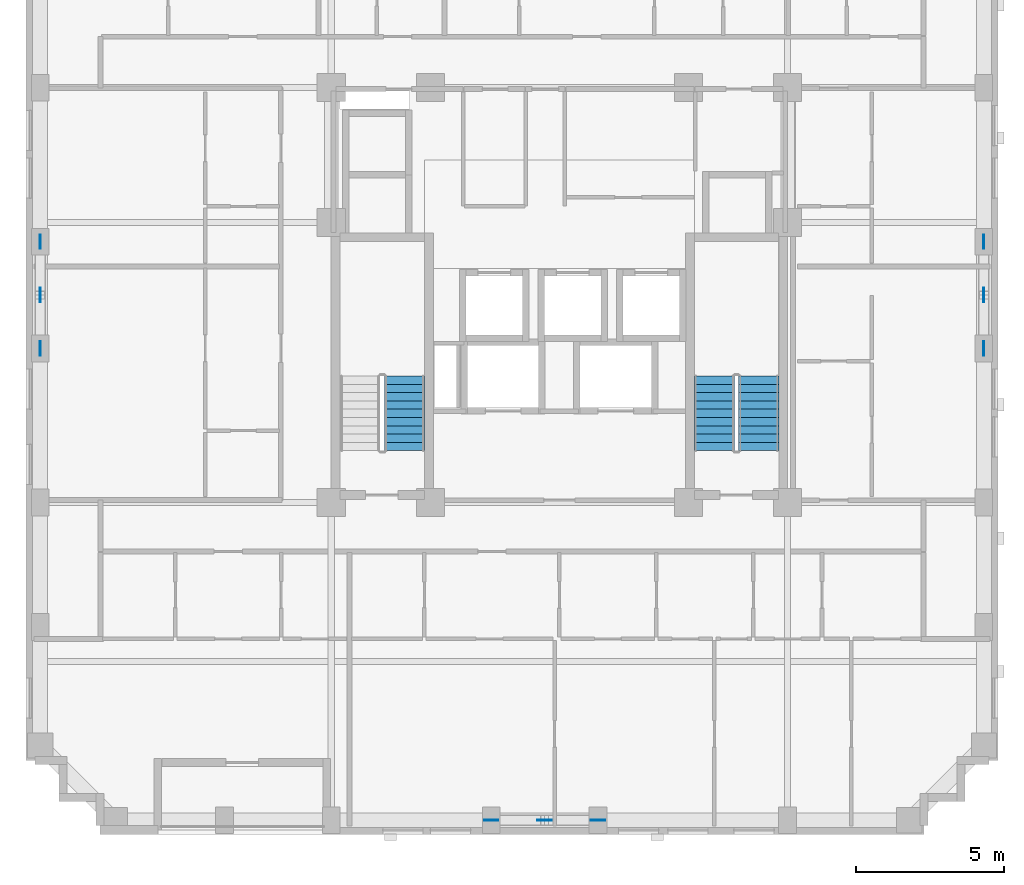
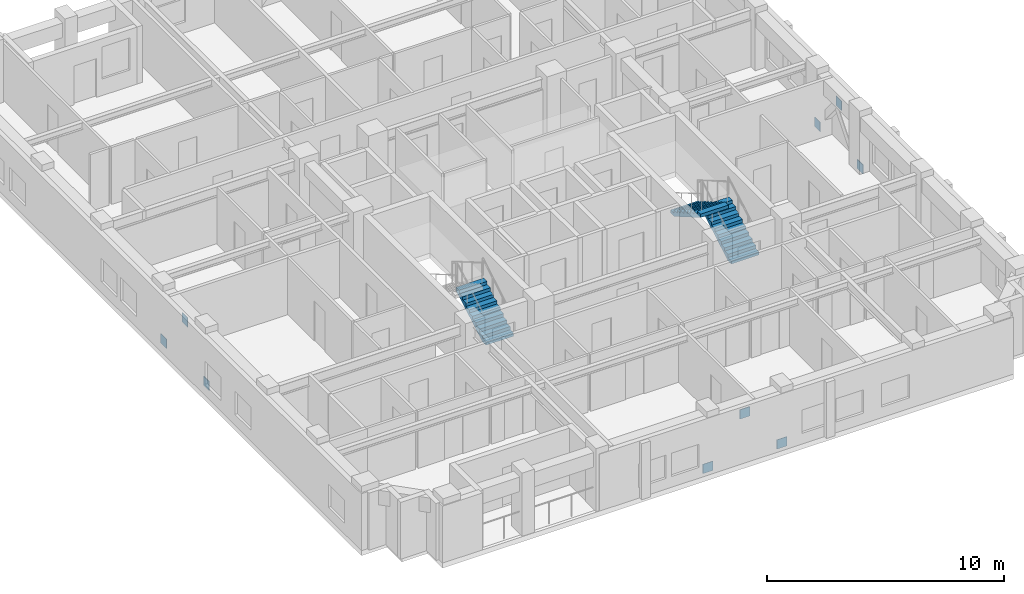
# One storey, part 8 of 11: 9 discrete accessories, 3 stair flights, 2 elements without a shape of their own.
"""IFC4 building model written with IfcOpenShell, lengths in metres."""

from ifc_helpers import new_model, si_unit, derived_unit, direction, frame, origin, origin_2d, place, context, subcontext, project, spatial, polyline, rectangle, outline, extrude, material, layer, layer_set, type_object, element, aggregate, save


model = new_model("IFC4")

# Units and contexts
model_context = context("Model", 3, precision=1e-05, world=origin(), true_north=direction((0.0, 1.0)))
body_context = subcontext(model_context, "Body", "Model", "MODEL_VIEW")
ifc_project = project(units=[si_unit("LENGTHUNIT", "METRE"), si_unit("AREAUNIT", "SQUARE_METRE"), si_unit("VOLUMEUNIT", "CUBIC_METRE"), si_unit("PLANEANGLEUNIT", "RADIAN"), si_unit("MASSUNIT", "GRAM", prefix="KILO"), derived_unit("THERMALTRANSMITTANCEUNIT", [(si_unit("MASSUNIT", "GRAM", prefix="KILO"), 1), (si_unit("TIMEUNIT", "SECOND"), -3), (si_unit("THERMODYNAMICTEMPERATUREUNIT", "KELVIN"), -1)])], contexts=[model_context])

# Site, building, storey
site_placement = place(None, origin())
site = spatial("IfcSite", under=ifc_project, at=site_placement, CompositionType="ELEMENT")
building_placement = place(site_placement, origin())
building = spatial("IfcBuilding", under=site, at=building_placement, Name="Korrvale Station Residences", CompositionType="ELEMENT")
storey_placement = place(building_placement, frame((0.0, 0.0, 166.64990234375)))
storey = spatial("IfcBuildingStorey", under=building, at=storey_placement, Name="L48", CompositionType="ELEMENT", Elevation=166.64990234375)

# Stair, stair flight
ifc_material_1 = material(Name="Concrete C50/60", Category="concrete")
stair_type = type_object("IfcStairType", Name="STR-DL-1350-20R-1625", PredefinedType="HALF_TURN_STAIR", material=ifc_material_1)
stair_1_placement = place(storey_placement, origin())
stair_1 = element("IfcStair", 1, at=stair_1_placement, inside=storey, type_object=stair_type, Name="L48 Exit Stair 1", PredefinedType="HALF_TURN_STAIR")
stair_flight_type = type_object("IfcStairFlightType", Name="FLT-DL-1350-20R-1625", PredefinedType="STRAIGHT", material=ifc_material_1)
stair_flight_1_placement = place(storey_placement, frame((20.27490234375, 16.75, 0.0), z_axis=(0.0, 0.0, 1.0), x_axis=(0.0, 1.0, 0.0)))
stair_flight_1 = element("IfcStairFlight", 2, at=stair_flight_1_placement, type_object=stair_flight_type, Name="ST-1 flight 1", NumberOfRisers=10, NumberOfTreads=9, PredefinedType="STRAIGHT", RiserHeight=0.1625, TreadLength=0.28, context=body_context, shape_type="SweptSolid", body=[
    extrude(outline(polyline([(0.0, 0.0), (0.0, 0.16259765625), (0.280029296875, 0.16259765625), (0.280029296875, 0.324951171875), (0.56005859375, 0.324951171875), (0.56005859375, 0.487548828125), (0.840087890625, 0.487548828125), (0.840087890625, 0.64990234375), (1.1201171875, 0.64990234375), (1.1201171875, 0.8125), (1.39990234375, 0.8125), (1.39990234375, 0.97509765625), (1.679931640625, 0.97509765625), (1.679931640625, 1.137451171875), (1.9599609375, 1.137451171875), (1.9599609375, 1.300048828125), (2.239990234375, 1.300048828125), (2.239990234375, 1.46240234375), (2.52001953125, 1.46240234375), (2.52001953125, 1.625), (2.52001953125, 1.2890625), (0.298583984375, 0.0), (0.0, 0.0)])), frame((0.0, 0.675048828125, 0.0), z_axis=(0.0, -1.0, 0.0), x_axis=(1.0, 0.0, 0.0)), (0.0, 0.0, 1.0), 1.35009765625),
])
aggregate(stair_1, [stair_flight_1])

# Stair, stair flights
stair_2_placement = place(storey_placement, origin())
stair_2 = element("IfcStair", 3, at=stair_2_placement, inside=storey, type_object=stair_type, Name="L48 Exit Stair 2", PredefinedType="HALF_TURN_STAIR")
stair_flight_2_placement = place(storey_placement, frame((32.22509765625, 16.75, 0.0), z_axis=(0.0, 0.0, 1.0), x_axis=(0.0, 1.0, 0.0)))
stair_flight_2 = element("IfcStairFlight", 4, at=stair_flight_2_placement, type_object=stair_flight_type, Name="ST-2 flight 1", NumberOfRisers=10, NumberOfTreads=9, PredefinedType="STRAIGHT", RiserHeight=0.1625, TreadLength=0.28, context=body_context, shape_type="SweptSolid", body=[
    extrude(outline(polyline([(0.0, 0.0), (0.0, 0.16259765625), (0.280029296875, 0.16259765625), (0.280029296875, 0.324951171875), (0.56005859375, 0.324951171875), (0.56005859375, 0.487548828125), (0.840087890625, 0.487548828125), (0.840087890625, 0.64990234375), (1.1201171875, 0.64990234375), (1.1201171875, 0.8125), (1.39990234375, 0.8125), (1.39990234375, 0.97509765625), (1.679931640625, 0.97509765625), (1.679931640625, 1.137451171875), (1.9599609375, 1.137451171875), (1.9599609375, 1.300048828125), (2.239990234375, 1.300048828125), (2.239990234375, 1.46240234375), (2.52001953125, 1.46240234375), (2.52001953125, 1.625), (2.52001953125, 1.2890625), (0.298583984375, 0.0), (0.0, 0.0)])), frame((0.0, 0.675048828125, 0.0), z_axis=(0.0, -1.0, 0.0), x_axis=(1.0, 0.0, 0.0)), (0.0, 0.0, 1.0), 1.35009765625),
])
stair_flight_3_placement = place(storey_placement, frame((30.72509765625, 19.27001953125, 1.625), z_axis=(0.0, 0.0, 1.0), x_axis=(0.0, -1.0, 0.0)))
stair_flight_3 = element("IfcStairFlight", 5, at=stair_flight_3_placement, type_object=stair_flight_type, Name="ST-2 flight 2", NumberOfRisers=10, NumberOfTreads=9, PredefinedType="STRAIGHT", RiserHeight=0.1625, TreadLength=0.28, context=body_context, shape_type="SweptSolid", body=[
    extrude(outline(polyline([(0.0, 0.0), (0.0, 0.16259765625), (0.280029296875, 0.16259765625), (0.280029296875, 0.324951171875), (0.56005859375, 0.324951171875), (0.56005859375, 0.487548828125), (0.840087890625, 0.487548828125), (0.840087890625, 0.64990234375), (1.1201171875, 0.64990234375), (1.1201171875, 0.8125), (1.39990234375, 0.8125), (1.39990234375, 0.97509765625), (1.679931640625, 0.97509765625), (1.679931640625, 1.137451171875), (1.9599609375, 1.137451171875), (1.9599609375, 1.300048828125), (2.239990234375, 1.300048828125), (2.239990234375, 1.46240234375), (2.52001953125, 1.46240234375), (2.52001953125, 1.625), (2.52001953125, 1.2890625), (0.298583984375, 0.0), (0.0, 0.0)])), frame((0.0, 0.675048828125, 0.0), z_axis=(0.0, -1.0, 0.0), x_axis=(1.0, 0.0, 0.0)), (0.0, 0.0, 1.0), 1.35009765625),
])
aggregate(stair_2, [stair_flight_2, stair_flight_3])

# Discrete accessories
ifc_material_2 = material(Name="Steel S355", Category="steel")
ifc_layer = layer(ifc_material_2, 0.02490234375, Name="Steel S355")
ifc_layer_set = layer_set([ifc_layer], Name="Steel S355")
discrete_accessory_type = type_object("IfcDiscreteAccessoryType", Name="ACC-GUSSET-25", PredefinedType="BRACKET", material=ifc_layer_set)
for number, where, z_axis, x_axis, name in (
    (6, (23.199951171875, 4.280029296875, -0.219970703125), (0.0, 0.0, 1.0), (1.0, 0.0, 0.0), "L48 S Brace End Gusset Connection A"),
    (7, (26.800048828125, 4.280029296875, -0.219970703125), (0.0, 0.0, 1.0), (1.0, 0.0, 0.0), "L48 S Brace End Gusset Connection B"),
    (8, (25.0, 4.280029296875, 1.960205078125), (0.0, 0.0, 1.0), (1.0, 0.0, 0.0), "L48 S Brace End Gusset Connection M"),
    (9, (7.97998046875, 20.199951171875, -0.219970703125), (0.0, 0.0, 1.0), (0.0, 1.0, 0.0), "L48 W Brace End Gusset Connection A"),
    (10, (7.97998046875, 23.800048828125, -0.219970703125), (0.0, 0.0, 1.0), (0.0, 1.0, 0.0), "L48 W Brace End Gusset Connection B"),
    (11, (7.97998046875, 22.0, 1.960205078125), (0.0, 0.0, 1.0), (0.0, 1.0, 0.0), "L48 W Brace End Gusset Connection M"),
    (12, (39.820068359375, 20.199951171875, -0.219970703125), (0.0, 0.0, 1.0), (0.0, 1.0, 0.0), "L48 E Brace End Gusset Connection A"),
    (13, (39.820068359375, 23.800048828125, -0.219970703125), (0.0, 0.0, 1.0), (0.0, 1.0, 0.0), "L48 E Brace End Gusset Connection B"),
    (14, (39.820068359375, 22.0, 1.960205078125), (0.0, 0.0, 1.0), (0.0, 1.0, 0.0), "L48 E Brace End Gusset Connection M"),
):
    element("IfcDiscreteAccessory", number, at=place(storey_placement, frame(where, z_axis=z_axis, x_axis=x_axis)), inside=storey, type_object=discrete_accessory_type, Name=name, PredefinedType="BRACKET", context=body_context, shape_type="SweptSolid", body=[
        extrude(rectangle(XDim=0.47998046875, YDim=0.02490234375, at=origin_2d()), origin(), (0.0, 0.0, 1.0), 0.47998046875),
    ])

save(model, "model.ifc")
